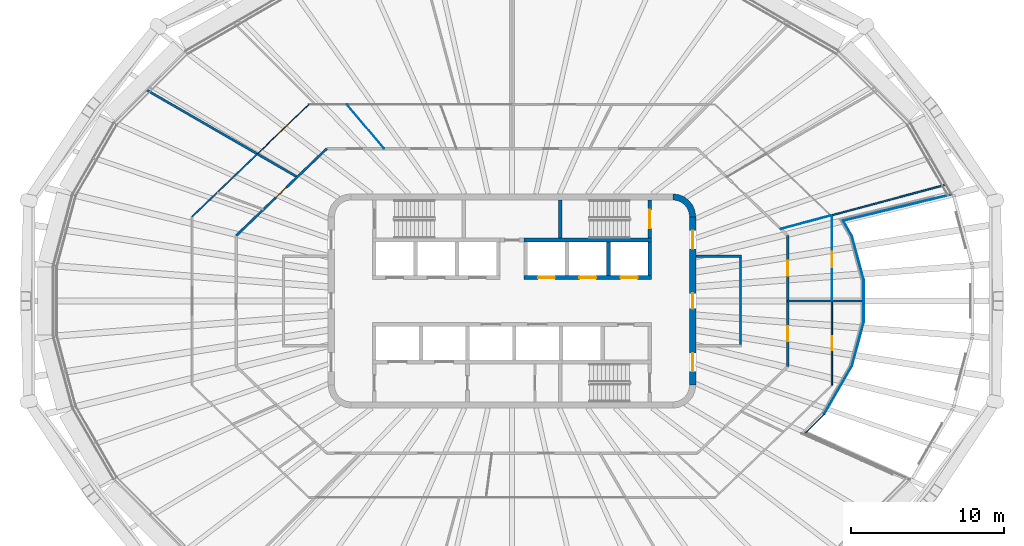
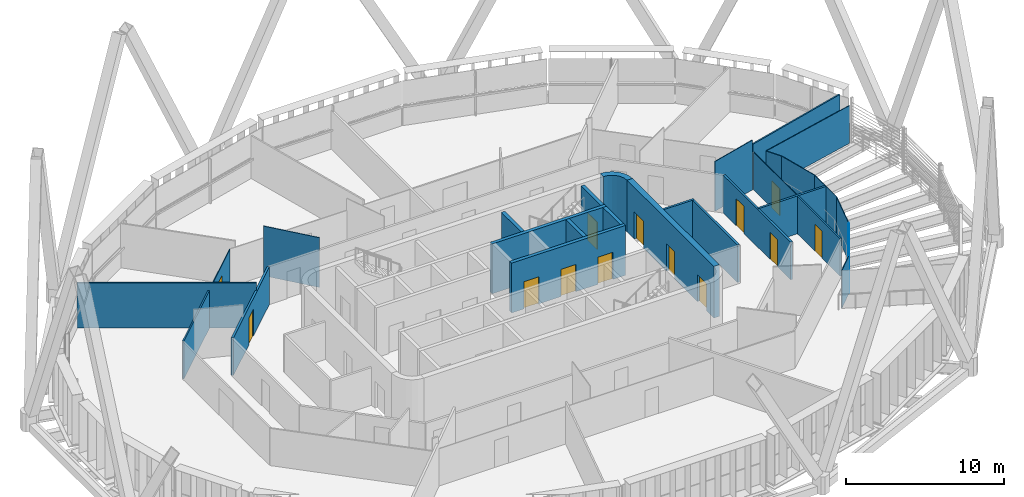
# One storey, part 12 of 20: 28 walls, 13 doors, 13 openings.
"""IFC4 building model written with IfcOpenShell, lengths in metres."""

import ifcopenshell
import ifcopenshell.guid

model = None  # the IFC model being written
_history = None  # IfcOwnerHistory: only IFC2X3 demands one
_inside = {}  # id of a spatial element -> (the spatial element, [elements in it])
_under = {}  # id of a project, library or spatial element -> (it, [spatial elements below it])
_declared = {}  # id of a project -> (the project, [libraries it declares])
_typed = {}  # id of a type object -> (the type object, [elements of that type])
_made_of = {}  # id of a material, layer set ... -> (it, [elements and type objects made of it])


def new_model(schema):
    """Start an empty IFC model of exactly this schema.

    Asked for "IFC4X3", IfcOpenShell would pick the latest addendum, in which some entities
    have other attributes; the version numbers below select the first issue.
    IFC2X3 requires an IfcOwnerHistory on every rooted entity: one is made here for all.
    """
    global model, _history
    if schema == "IFC4X3":
        model = ifcopenshell.file(schema_version=(4, 3, 0, 0))
    else:
        model = ifcopenshell.file(schema=schema)
    _inside.clear()
    _under.clear()
    _declared.clear()
    _typed.clear()
    _made_of.clear()
    _history = None
    if model.schema == "IFC2X3":
        org = make("IfcOrganization", Name="unknown")
        user = make(
            "IfcPersonAndOrganization",
            ThePerson=make("IfcPerson", FamilyName="unknown"),
            TheOrganization=org,
        )
        app = make(
            "IfcApplication",
            ApplicationDeveloper=org,
            Version="unknown",
            ApplicationFullName="unknown",
            ApplicationIdentifier="unknown",
        )
        _history = make(
            "IfcOwnerHistory",
            OwningUser=user,
            OwningApplication=app,
            ChangeAction="ADDED",
            CreationDate=0,
        )
    return model


def make(cls, **values):
    """One entity of the class cls with the attributes given. An attribute that is None is left unset."""
    return model.create_entity(
        cls, **{name: value for name, value in values.items() if value is not None}
    )


def rooted(cls, **values):
    """An entity with a GlobalId (a new one), such as an element, a storey or a relation."""
    return make(cls, GlobalId=ifcopenshell.guid.new(), OwnerHistory=_history, **values)


def si_unit(unit_type, name, prefix=None):
    """IfcSIUnit, for example si_unit("LENGTHUNIT", "METRE", prefix="MILLI")."""
    return make("IfcSIUnit", UnitType=unit_type, Prefix=prefix, Name=name)


def assignment(units):
    """IfcUnitAssignment: the units of a project."""
    return None if units is None else make("IfcUnitAssignment", Units=units)


def point(xyz):
    """IfcCartesianPoint."""
    return None if xyz is None else make("IfcCartesianPoint", Coordinates=xyz)


def direction(xyz):
    """IfcDirection."""
    return None if xyz is None else make("IfcDirection", DirectionRatios=xyz)


def frame(location, z_axis=None, x_axis=None):
    """IfcAxis2Placement3D, a coordinate frame: its origin and axes. An axis left out is left unset."""
    return make(
        "IfcAxis2Placement3D",
        Location=point(location),
        Axis=direction(z_axis),
        RefDirection=direction(x_axis),
    )


def frame_2d(location, x_axis=None):
    """IfcAxis2Placement2D, a coordinate frame in the plane: its origin and x axis."""
    return make(
        "IfcAxis2Placement2D", Location=point(location), RefDirection=direction(x_axis)
    )


def origin():
    """The frame at (0, 0, 0) with its axes left unset."""
    return frame((0.0, 0.0, 0.0))


def place(relative_to, where):
    """IfcLocalPlacement: puts the frame where relative to a parent placement (None: the world)."""
    return make(
        "IfcLocalPlacement", PlacementRelTo=relative_to, RelativePlacement=where
    )


def context(
    kind, dimensions, precision=None, world=None, true_north=None, identifier=None
):
    """IfcGeometricRepresentationContext, for example the 3D "Model" context."""
    return make(
        "IfcGeometricRepresentationContext",
        ContextIdentifier=identifier,
        ContextType=kind,
        CoordinateSpaceDimension=dimensions,
        Precision=precision,
        WorldCoordinateSystem=world,
        TrueNorth=true_north,
    )


def subcontext(parent, identifier, kind, view, scale=None):
    """IfcGeometricRepresentationSubContext, for example "Body" below "Model"."""
    return make(
        "IfcGeometricRepresentationSubContext",
        ContextIdentifier=identifier,
        ContextType=kind,
        ParentContext=parent,
        TargetScale=scale,
        TargetView=view,
    )


def project(units=None, contexts=None):
    """IfcProject with its units and contexts."""
    return rooted(
        "IfcProject",
        Name="project",
        RepresentationContexts=contexts,
        UnitsInContext=assignment(units),
    )


def spatial(cls, under=None, at=None, **own):
    """A site, building, storey or space (cls), placed at a placement, below another one or the project."""
    s = rooted(cls, ObjectPlacement=at, **own)
    if under is not None:
        _under.setdefault(under.id(), (under, []))[1].append(s)
    return s


def polyline(points):
    """IfcPolyline through the points."""
    return make("IfcPolyline", Points=[point(p) for p in points])


def profile(cls, at=None, kind="AREA", **sizes):
    """A parametric profile (cls). Its sizes go by their IFC names, for example OverallWidth=200.0."""
    return make(cls, ProfileType=kind, Position=at, **sizes)


def rectangle(**sizes):
    """IfcRectangleProfileDef."""
    return profile("IfcRectangleProfileDef", **sizes)


def outline(outer, holes=None, kind="AREA"):
    """IfcArbitraryClosedProfileDef: a profile drawn as a closed curve; with holes, ...WithVoids."""
    if holes is None:
        return make("IfcArbitraryClosedProfileDef", ProfileType=kind, OuterCurve=outer)
    return make(
        "IfcArbitraryProfileDefWithVoids",
        ProfileType=kind,
        OuterCurve=outer,
        InnerCurves=holes,
    )


def extrude(swept, where, along, depth):
    """IfcExtrudedAreaSolid: the profile swept, set in the frame where, extruded along a direction by depth."""
    return make(
        "IfcExtrudedAreaSolid",
        SweptArea=swept,
        Position=where,
        ExtrudedDirection=direction(along),
        Depth=depth,
    )


def shape(context_of_items, identifier, shape_type, items):
    """IfcShapeRepresentation: the items that make up one representation, for example the "Body"."""
    return make(
        "IfcShapeRepresentation",
        ContextOfItems=context_of_items,
        RepresentationIdentifier=identifier,
        RepresentationType=shape_type,
        Items=items,
    )


def material(Name=None, Category=None):
    """IfcMaterial."""
    return make("IfcMaterial", Name=Name, Category=Category)


def layer(
    of_material, thickness, ventilated=None, Name=None, Category=None, Priority=None
):
    """IfcMaterialLayer: one layer of a wall or slab, of a material (None: an air gap)."""
    return make(
        "IfcMaterialLayer",
        Material=of_material,
        LayerThickness=thickness,
        IsVentilated=ventilated,
        Name=Name,
        Category=Category,
        Priority=Priority,
    )


def layer_set(layers, Name=None):
    """IfcMaterialLayerSet."""
    return make("IfcMaterialLayerSet", MaterialLayers=layers, LayerSetName=Name)


def made_of(thing, what):
    """Note that an element or type object is made of a material, layer set ...; save() writes the relation."""
    if what is not None:
        _made_of.setdefault(what.id(), (what, []))[1].append(thing)
    return thing


def type_object(cls, material=None, **own):
    """A type object (cls), such as IfcWallType, which elements share."""
    return made_of(rooted(cls, **own), material)


def element(
    cls,
    number,
    at=None,
    inside=None,
    cuts=None,
    type_object=None,
    material=None,
    context=None,
    identifier="Body",
    shape_type=None,
    held_by="IfcProductDefinitionShape",
    body=None,
    shapes=None,
    **own,
):
    """One element of the class cls, such as IfcWall. Its Tag is "e" and its number.

    at: its placement. inside: the storey or other place that contains it. cuts: it is an
    opening in that element (IfcRelVoidsElement). A single representation is given by context,
    identifier, shape_type and body (its items); several are given by shapes. held_by: the class
    of the entity that holds the representations. save() writes the other relations.
    """
    e = rooted(cls, Tag="e%d" % number, ObjectPlacement=at, **own)
    if body is not None:
        shapes = [shape(context, identifier, shape_type, body)]
    if shapes is not None:
        e.Representation = make(held_by, Representations=shapes)
    if inside is not None:
        _inside.setdefault(inside.id(), (inside, []))[1].append(e)
    if cuts is not None:
        rooted(
            "IfcRelVoidsElement", RelatingBuildingElement=cuts, RelatedOpeningElement=e
        )
    if type_object is not None:
        _typed.setdefault(type_object.id(), (type_object, []))[1].append(e)
    return made_of(e, material)


def fill(opening, filler):
    """IfcRelFillsElement: the door or window that sits in an opening."""
    return rooted(
        "IfcRelFillsElement",
        RelatingOpeningElement=opening,
        RelatedBuildingElement=filler,
    )


def aggregate(whole, parts):
    """IfcRelAggregates: a whole, such as a stair, and the parts it consists of."""
    return rooted("IfcRelAggregates", RelatingObject=whole, RelatedObjects=parts)


def save(model, path):
    """Write the relations noted so far, then the file.

    IfcRelAggregates (storeys below a building ...), IfcRelContainedInSpatialStructure (elements
    in a storey), IfcRelDefinesByType, IfcRelAssociatesMaterial and IfcRelDeclares: one each for
    every whole, place, type object, material and project.
    """
    for whole, parts in _under.values():
        aggregate(whole, parts)
    for where, things in _inside.values():
        rooted(
            "IfcRelContainedInSpatialStructure",
            RelatedElements=things,
            RelatingStructure=where,
        )
    for kind, things in _typed.values():
        rooted("IfcRelDefinesByType", RelatedObjects=things, RelatingType=kind)
    for what, things in _made_of.values():
        rooted("IfcRelAssociatesMaterial", RelatedObjects=things, RelatingMaterial=what)
    for by, libraries in _declared.values():
        rooted("IfcRelDeclares", RelatingContext=by, RelatedDefinitions=libraries)
    model.write(path)


model = new_model("IFC4")

# Units and contexts
model_context = context("Model", 3, precision=1e-05, world=origin(), true_north=direction((0.0, 1.0)))
body_context = subcontext(model_context, "Body", "Model", "MODEL_VIEW")
ifc_project = project(units=[si_unit("LENGTHUNIT", "METRE"), si_unit("AREAUNIT", "SQUARE_METRE"), si_unit("VOLUMEUNIT", "CUBIC_METRE"), si_unit("PLANEANGLEUNIT", "RADIAN"), si_unit("MASSUNIT", "GRAM", prefix="KILO")], contexts=[model_context])

# Site, building, storey
site_placement = place(None, origin())
site = spatial("IfcSite", under=ifc_project, at=site_placement, CompositionType="ELEMENT")
building_placement = place(site_placement, origin())
building = spatial("IfcBuilding", under=site, at=building_placement, Name="Sahrelin Media Tower", CompositionType="ELEMENT")
storey_placement = place(building_placement, frame((0.0, 0.0, 267.0)))
storey = spatial("IfcBuildingStorey", under=building, at=storey_placement, Name="L58", CompositionType="ELEMENT", Elevation=267.0)

# Wall, openings, doors
ifc_material_1 = material(Name="Concrete C60/75", Category="concrete")
ifc_layer_1 = layer(ifc_material_1, 0.39990234375)
ifc_layer_set_1 = layer_set([ifc_layer_1], Name="Core wall 400")
wall_type_1 = type_object("IfcWallType", Name="Core wall 400", PredefinedType="SHEAR", material=ifc_layer_set_1)
wall_1_placement = place(storey_placement, frame((11.800048828125, -5.5, 0.0), z_axis=(0.0, 0.0, 1.0), x_axis=(0.0, 1.0, 0.0)))
wall_1 = element("IfcWall", 1, at=wall_1_placement, inside=storey, type_object=wall_type_1, Name="Core wall E L58", PredefinedType="SHEAR", context=body_context, shape_type="SweptSolid", body=[
    extrude(rectangle(XDim=11.0, YDim=0.39990234375, at=frame_2d((5.5, 0.0))), origin(), (0.0, 0.0, 1.0), 4.0),
])
opening_1_placement = place(wall_1_placement, frame((5.0, 0.0, 0.0)))
opening_1 = element("IfcOpeningElement", 2, at=opening_1_placement, cuts=wall_1, Name="Opening L58-D10", PredefinedType="OPENING", context=body_context, shape_type="SweptSolid", body=[
    extrude(rectangle(XDim=1.0, YDim=2.10009765625, at=frame_2d((0.5, 1.050048828125))), frame((0.0, 0.199951171875, 0.0), z_axis=(0.0, -1.0, 0.0), x_axis=(1.0, 0.0, 0.0)), (0.0, 0.0, 1.0), 0.39990234375),
])
opening_2_placement = place(wall_1_placement, frame((0.89990234375, 0.0, 0.0)))
opening_2 = element("IfcOpeningElement", 3, at=opening_2_placement, cuts=wall_1, Name="Opening L58-D13", PredefinedType="OPENING", context=body_context, shape_type="SweptSolid", body=[
    extrude(rectangle(XDim=1.199951171875, YDim=2.10009765625, at=frame_2d((0.60009765625, 1.050048828125))), frame((0.0, 0.199951171875, 0.0), z_axis=(0.0, -1.0, 0.0), x_axis=(1.0, 0.0, 0.0)), (0.0, 0.0, 1.0), 0.39990234375),
])
opening_3_placement = place(wall_1_placement, frame((8.89990234375, 0.0, 0.0)))
opening_3 = element("IfcOpeningElement", 4, at=opening_3_placement, cuts=wall_1, Name="Opening L58-D14", PredefinedType="OPENING", context=body_context, shape_type="SweptSolid", body=[
    extrude(rectangle(XDim=1.199951171875, YDim=2.10009765625, at=frame_2d((0.60009765625, 1.050048828125))), frame((0.0, 0.199951171875, 0.0), z_axis=(0.0, -1.0, 0.0), x_axis=(1.0, 0.0, 0.0)), (0.0, 0.0, 1.0), 0.39990234375),
])
ifc_material_2 = material(Name="Steel fire door leaf", Category="steel")
door_type_1 = type_object("IfcDoorType", Name="Fire door 1000 x 2100 EI 60", OperationType="NOTDEFINED", PredefinedType="DOOR", material=ifc_material_2)
door_1_placement = place(opening_1_placement, origin())
door_1 = element("IfcDoor", 5, at=door_1_placement, inside=storey, type_object=door_type_1, Name="Core room door", OperationType="SINGLE_SWING_RIGHT", OverallHeight=2.10009765625, OverallWidth=1.0, PredefinedType="DOOR", context=body_context, shape_type="SweptSolid", body=[
    extrude(rectangle(XDim=1.0, YDim=2.10009765625, at=frame_2d((0.5, 1.050048828125))), frame((0.0, 0.02490234375, 0.0), z_axis=(0.0, -1.0, 0.0), x_axis=(1.0, 0.0, 0.0)), (0.0, 0.0, 1.0), 0.050048828125),
])
fill(opening_1, door_1)
door_type_2 = type_object("IfcDoorType", Name="Lobby door 1200 x 2100 EI 60", OperationType="NOTDEFINED", PredefinedType="DOOR", material=ifc_material_2)
door_2_placement = place(opening_2_placement, origin())
door_2 = element("IfcDoor", 6, at=door_2_placement, inside=storey, type_object=door_type_2, Name="Lobby door", OperationType="SINGLE_SWING_LEFT", OverallHeight=2.10009765625, OverallWidth=1.199951171875, PredefinedType="DOOR", context=body_context, shape_type="SweptSolid", body=[
    extrude(rectangle(XDim=1.199951171875, YDim=2.10009765625, at=frame_2d((0.60009765625, 1.050048828125))), frame((0.0, 0.02490234375, 0.0), z_axis=(0.0, -1.0, 0.0), x_axis=(1.0, 0.0, 0.0)), (0.0, 0.0, 1.0), 0.050048828125),
])
fill(opening_2, door_2)
door_3_placement = place(opening_3_placement, origin())
door_3 = element("IfcDoor", 7, at=door_3_placement, inside=storey, type_object=door_type_2, Name="Lobby door", OperationType="SINGLE_SWING_LEFT", OverallHeight=2.10009765625, OverallWidth=1.199951171875, PredefinedType="DOOR", context=body_context, shape_type="SweptSolid", body=[
    extrude(rectangle(XDim=1.199951171875, YDim=2.10009765625, at=frame_2d((0.60009765625, 1.050048828125))), frame((0.0, 0.02490234375, 0.0), z_axis=(0.0, -1.0, 0.0), x_axis=(1.0, 0.0, 0.0)), (0.0, 0.0, 1.0), 0.050048828125),
])
fill(opening_3, door_3)

# Walls
wall_2_placement = place(storey_placement, origin())
element("IfcWall", 8, at=wall_2_placement, inside=storey, type_object=wall_type_1, Name="Core wall corner NE L58", PredefinedType="SHEAR", context=body_context, shape_type="SweptSolid", body=[
    extrude(outline(polyline([(10.5, 7.0), (10.5, 6.596435546875), (10.78369140625, 6.55908203125), (11.04833984375, 6.44970703125), (11.275390625, 6.275390625), (11.44970703125, 6.04833984375), (11.55908203125, 5.78369140625), (11.596435546875, 5.5), (12.0, 5.5), (11.948974609375, 5.88818359375), (11.799072265625, 6.25), (11.560791015625, 6.560791015625), (11.25, 6.799072265625), (10.88818359375, 6.948974609375), (10.5, 7.0)])), origin(), (0.0, 0.0, 1.0), 4.0),
])
ifc_material_3 = material(Name="Fire-rated gypsum board partition")
ifc_layer_2 = layer(ifc_material_3, 0.14990234375)
ifc_layer_set_2 = layer_set([ifc_layer_2], Name="Fire-rated partition 150")
wall_type_2 = type_object("IfcWallType", Name="Fire-rated partition 150", PredefinedType="PARTITIONING", material=ifc_layer_set_2)
wall_3_placement = place(storey_placement, frame((14.925048828125, -2.85009765625, 0.0), z_axis=(0.0, 0.0, 1.0), x_axis=(0.0, 1.0, 0.0)))
element("IfcWall", 9, at=wall_3_placement, inside=storey, type_object=wall_type_2, Name="Core room fire partition", PredefinedType="PARTITIONING", context=body_context, shape_type="SweptSolid", body=[
    extrude(rectangle(XDim=5.7001953125, YDim=0.14990234375, at=frame_2d((2.85009765625, 0.0))), origin(), (0.0, 0.0, 1.0), 2.918212890625),
])
wall_4_placement = place(storey_placement, frame((12.0, 2.925048828125, 0.0), z_axis=(0.0, 0.0, 1.0), x_axis=(1.0, 0.0, 0.0)))
element("IfcWall", 10, at=wall_4_placement, inside=storey, type_object=wall_type_2, Name="Core room fire partition", PredefinedType="PARTITIONING", context=body_context, shape_type="SweptSolid", body=[
    extrude(rectangle(XDim=3.0, YDim=0.14990234375, at=frame_2d((1.5, 0.0))), origin(), (0.0, 0.0, 1.0), 2.918212890625),
])
wall_5_placement = place(storey_placement, frame((-23.883056640625, 13.7890625, 0.0), z_axis=(0.0, 0.0, 1.0), x_axis=(0.866026665955, -0.499997813851, 0.0)))
element("IfcWall", 11, at=wall_5_placement, inside=storey, type_object=wall_type_2, Name="Wall", PredefinedType="PARTITIONING", context=body_context, shape_type="SweptSolid", body=[
    extrude(rectangle(XDim=11.38427734375, YDim=0.14990234375, at=frame_2d((5.692138671875, 0.0))), origin(), (0.0, 0.0, 1.0), 3.47509765625),
])
wall_6_placement = place(storey_placement, frame((18.0, 0.0, 0.0), z_axis=(0.0, 0.0, 1.0), x_axis=(1.0, 0.0, 0.0)))
element("IfcWall", 12, at=wall_6_placement, inside=storey, type_object=wall_type_2, Name="Wall", PredefinedType="PARTITIONING", context=body_context, shape_type="SweptSolid", body=[
    extrude(rectangle(XDim=4.966064453125, YDim=0.14990234375, at=frame_2d((2.48291015625, 0.0))), origin(), (0.0, 0.0, 1.0), 2.927001953125),
])

# Wall, opening, door
wall_7_placement = place(storey_placement, frame((-18.0, 4.278076171875, 0.0), z_axis=(0.0, 0.0, 1.0), x_axis=(0.721260976692, 0.69266341285, 0.0)))
wall_7 = element("IfcWall", 13, at=wall_7_placement, inside=storey, type_object=wall_type_2, Name="Wall", PredefinedType="PARTITIONING", context=body_context, shape_type="SweptSolid", body=[
    extrude(rectangle(XDim=8.18701171875, YDim=0.14990234375, at=frame_2d((4.093505859375, 0.0))), origin(), (0.0, 0.0, 1.0), 2.918212890625),
])
opening_4_placement = place(wall_7_placement, frame((3.5439453125, 0.0, 0.0)))
opening_4 = element("IfcOpeningElement", 14, at=opening_4_placement, cuts=wall_7, Name="Opening L58-D21", PredefinedType="OPENING", context=body_context, shape_type="SweptSolid", body=[
    extrude(rectangle(XDim=1.0, YDim=2.10009765625, at=frame_2d((0.5, 1.050048828125))), frame((0.0, 0.074951171875, 0.0), z_axis=(0.0, -1.0, 0.0), x_axis=(1.0, 0.0, 0.0)), (0.0, 0.0, 1.0), 0.14990234375),
])
door_4_placement = place(opening_4_placement, origin())
door_4 = element("IfcDoor", 15, at=door_4_placement, inside=storey, type_object=door_type_1, Name="Fire door", OperationType="SINGLE_SWING_LEFT", OverallHeight=2.10009765625, OverallWidth=1.0, PredefinedType="DOOR", context=body_context, shape_type="SweptSolid", body=[
    extrude(rectangle(XDim=1.0, YDim=2.10009765625, at=frame_2d((0.5, 1.050048828125))), frame((0.0, 0.02490234375, 0.0), z_axis=(0.0, -1.0, 0.0), x_axis=(1.0, 0.0, 0.0)), (0.0, 0.0, 1.0), 0.050048828125),
])
fill(opening_4, door_4)

# Wall, openings, doors
wall_8_placement = place(storey_placement, frame((18.0, -4.278076171875, 0.0), z_axis=(0.0, 0.0, 1.0), x_axis=(0.0, 1.0, 0.0)))
wall_8 = element("IfcWall", 16, at=wall_8_placement, inside=storey, type_object=wall_type_2, Name="Wall", PredefinedType="PARTITIONING", context=body_context, shape_type="SweptSolid", body=[
    extrude(rectangle(XDim=8.55615234375, YDim=0.14990234375, at=frame_2d((4.278076171875, 0.0))), origin(), (0.0, 0.0, 1.0), 2.918212890625),
])
opening_5_placement = place(wall_8_placement, frame((1.638916015625, 0.0, 0.0)))
opening_5 = element("IfcOpeningElement", 17, at=opening_5_placement, cuts=wall_8, Name="Opening L58-D32", PredefinedType="OPENING", context=body_context, shape_type="SweptSolid", body=[
    extrude(rectangle(XDim=1.0, YDim=2.10009765625, at=frame_2d((0.5, 1.050048828125))), frame((0.0, 0.074951171875, 0.0), z_axis=(0.0, -1.0, 0.0), x_axis=(1.0, 0.0, 0.0)), (0.0, 0.0, 1.0), 0.14990234375),
])
opening_6_placement = place(wall_8_placement, frame((5.9169921875, 0.0, 0.0)))
opening_6 = element("IfcOpeningElement", 18, at=opening_6_placement, cuts=wall_8, Name="Opening L58-D34", PredefinedType="OPENING", context=body_context, shape_type="SweptSolid", body=[
    extrude(rectangle(XDim=1.0, YDim=2.10009765625, at=frame_2d((0.5, 1.050048828125))), frame((0.0, 0.074951171875, 0.0), z_axis=(0.0, -1.0, 0.0), x_axis=(1.0, 0.0, 0.0)), (0.0, 0.0, 1.0), 0.14990234375),
])
door_5_placement = place(opening_5_placement, origin())
door_5 = element("IfcDoor", 19, at=door_5_placement, inside=storey, type_object=door_type_1, Name="Fire door", OperationType="SINGLE_SWING_RIGHT", OverallHeight=2.10009765625, OverallWidth=1.0, PredefinedType="DOOR", context=body_context, shape_type="SweptSolid", body=[
    extrude(rectangle(XDim=1.0, YDim=2.10009765625, at=frame_2d((0.5, 1.050048828125))), frame((0.0, 0.02490234375, 0.0), z_axis=(0.0, -1.0, 0.0), x_axis=(1.0, 0.0, 0.0)), (0.0, 0.0, 1.0), 0.050048828125),
])
fill(opening_5, door_5)
door_6_placement = place(opening_6_placement, origin())
door_6 = element("IfcDoor", 20, at=door_6_placement, inside=storey, type_object=door_type_1, Name="Fire door", OperationType="SINGLE_SWING_LEFT", OverallHeight=2.10009765625, OverallWidth=1.0, PredefinedType="DOOR", context=body_context, shape_type="SweptSolid", body=[
    extrude(rectangle(XDim=1.0, YDim=2.10009765625, at=frame_2d((0.5, 1.050048828125))), frame((0.0, 0.02490234375, 0.0), z_axis=(0.0, -1.0, 0.0), x_axis=(1.0, 0.0, 0.0)), (0.0, 0.0, 1.0), 0.050048828125),
])
fill(opening_6, door_6)

# Walls
ifc_material_4 = material(Name="Clear glass", Category="glass")
ifc_layer_3 = layer(ifc_material_4, 0.050048828125)
ifc_layer_set_3 = layer_set([ifc_layer_3], Name="Glazed partition 50")
wall_type_3 = type_object("IfcWallType", Name="Glazed partition 50", PredefinedType="PARTITIONING", material=ifc_layer_set_3)
wall_9_placement = place(storey_placement, frame((22.197021484375, 4.256103515625, 0.0), z_axis=(0.0, 0.0, 1.0), x_axis=(0.258736085224, -0.965948051503, 0.0)))
element("IfcWall", 21, at=wall_9_placement, inside=storey, type_object=wall_type_3, Name="Wall", PredefinedType="PARTITIONING", context=body_context, shape_type="SweptSolid", body=[
    extrude(rectangle(XDim=2.972412109375, YDim=0.050048828125, at=frame_2d((1.486328125, 0.0))), origin(), (0.0, 0.0, 1.0), 2.918212890625),
])
wall_10_placement = place(storey_placement, frame((21.62890625, 5.239990234375, 0.0), z_axis=(0.0, 0.0, 1.0), x_axis=(0.500044870432, -0.865999496279, 0.0)))
element("IfcWall", 22, at=wall_10_placement, inside=storey, type_object=wall_type_3, Name="Wall", PredefinedType="PARTITIONING", context=body_context, shape_type="SweptSolid", body=[
    extrude(rectangle(XDim=1.13623046875, YDim=0.050048828125, at=frame_2d((0.568115234375, 0.0))), origin(), (0.0, 0.0, 1.0), 2.918212890625),
])
wall_11_placement = place(storey_placement, frame((-10.77294921875, 12.839111328125, 0.0), z_axis=(0.0, 0.0, 1.0), x_axis=(0.642777681898, -0.766052773413, 0.0)))
element("IfcWall", 23, at=wall_11_placement, inside=storey, type_object=wall_type_3, Name="Wall", PredefinedType="PARTITIONING", context=body_context, shape_type="SweptSolid", body=[
    extrude(rectangle(XDim=3.772705078125, YDim=0.050048828125, at=frame_2d((1.88623046875, 0.0))), origin(), (0.0, 0.0, 1.0), 3.85009765625),
])
wall_12_placement = place(storey_placement, frame((21.62890625, 5.239990234375, 0.0), z_axis=(0.0, 0.0, 1.0), x_axis=(0.971882367971, 0.235466903888, 0.0)))
element("IfcWall", 24, at=wall_12_placement, inside=storey, type_object=wall_type_3, Name="Wall", PredefinedType="PARTITIONING", context=body_context, shape_type="SweptSolid", body=[
    extrude(rectangle(XDim=7.296142578125, YDim=0.050048828125, at=frame_2d((3.64794921875, 0.0))), origin(), (0.0, 0.0, 1.0), 2.918212890625),
])
wall_13_placement = place(storey_placement, frame((17.555908203125, 4.7041015625, 0.0), z_axis=(0.0, 0.0, 1.0), x_axis=(0.965949987261, 0.258728858285, 0.0)))
element("IfcWall", 25, at=wall_13_placement, inside=storey, type_object=wall_type_3, Name="Wall", PredefinedType="PARTITIONING", context=body_context, shape_type="SweptSolid", body=[
    extrude(rectangle(XDim=3.377197265625, YDim=0.050048828125, at=frame_2d((1.6884765625, 0.0))), origin(), (0.0, 0.0, 1.0), 3.85009765625),
])

# Wall, opening, door
wall_14_placement = place(storey_placement, frame((-16.62890625, 9.60107421875, 0.0), z_axis=(0.0, 0.0, 1.0), x_axis=(0.721171224294, 0.692756858681, 0.0)))
wall_14 = element("IfcWall", 26, at=wall_14_placement, inside=storey, type_object=wall_type_3, Name="Wall", PredefinedType="PARTITIONING", context=body_context, shape_type="SweptSolid", body=[
    extrude(rectangle(XDim=4.674072265625, YDim=0.050048828125, at=frame_2d((2.3369140625, 0.0))), origin(), (0.0, 0.0, 1.0), 2.927001953125),
])
opening_7_placement = place(wall_14_placement, frame((1.837158203125, 0.0, 0.0)))
opening_7 = element("IfcOpeningElement", 27, at=opening_7_placement, cuts=wall_14, Name="Opening L58-D20", PredefinedType="OPENING", context=body_context, shape_type="SweptSolid", body=[
    extrude(rectangle(XDim=1.0, YDim=2.10009765625, at=frame_2d((0.5, 1.050048828125))), frame((0.0, 0.02490234375, 0.0), z_axis=(0.0, -1.0, 0.0), x_axis=(1.0, 0.0, 0.0)), (0.0, 0.0, 1.0), 0.050048828125),
])
door_type_3 = type_object("IfcDoorType", Name="Glazed door 1000 x 2100", OperationType="NOTDEFINED", PredefinedType="DOOR", material=ifc_material_4)
door_7_placement = place(opening_7_placement, origin())
door_7 = element("IfcDoor", 28, at=door_7_placement, inside=storey, type_object=door_type_3, Name="Glazed door", OperationType="SINGLE_SWING_LEFT", OverallHeight=2.10009765625, OverallWidth=1.0, PredefinedType="DOOR", context=body_context, shape_type="SweptSolid", body=[
    extrude(rectangle(XDim=1.0, YDim=2.10009765625, at=frame_2d((0.5, 1.050048828125))), frame((0.0, 0.02490234375, 0.0), z_axis=(0.0, -1.0, 0.0), x_axis=(1.0, 0.0, 0.0)), (0.0, 0.0, 1.0), 0.049560546875),
])
fill(opening_7, door_7)

# Walls
wall_15_placement = place(storey_placement, frame((19.1640625, -8.60791015625, 0.0), z_axis=(0.0, 0.0, 1.0), x_axis=(0.707106781187, 0.707106781187, 0.0)))
element("IfcWall", 29, at=wall_15_placement, inside=storey, type_object=wall_type_3, Name="Wall", PredefinedType="PARTITIONING", context=body_context, shape_type="SweptSolid", body=[
    extrude(rectangle(XDim=1.739501953125, YDim=0.050048828125, at=frame_2d((0.86962890625, 0.0))), origin(), (0.0, 0.0, 1.0), 2.927001953125),
])
wall_16_placement = place(storey_placement, frame((20.39404296875, -7.3779296875, 0.0), z_axis=(0.0, 0.0, 1.0), x_axis=(0.500123016475, 0.865954368539, 0.0)))
element("IfcWall", 30, at=wall_16_placement, inside=storey, type_object=wall_type_3, Name="Wall", PredefinedType="PARTITIONING", context=body_context, shape_type="SweptSolid", body=[
    extrude(rectangle(XDim=3.60498046875, YDim=0.050048828125, at=frame_2d((1.802490234375, 0.0))), origin(), (0.0, 0.0, 1.0), 2.918212890625),
])
wall_17_placement = place(storey_placement, frame((22.197021484375, -4.256103515625, 0.0), z_axis=(0.0, 0.0, 1.0), x_axis=(0.258736085224, 0.965948051503, 0.0)))
element("IfcWall", 31, at=wall_17_placement, inside=storey, type_object=wall_type_3, Name="Wall", PredefinedType="PARTITIONING", context=body_context, shape_type="SweptSolid", body=[
    extrude(rectangle(XDim=2.972412109375, YDim=0.050048828125, at=frame_2d((1.486328125, 0.0))), origin(), (0.0, 0.0, 1.0), 2.918212890625),
])
wall_18_placement = place(storey_placement, frame((22.966064453125, -1.385009765625, 0.0), z_axis=(0.0, 0.0, 1.0), x_axis=(0.0, 1.0, 0.0)))
element("IfcWall", 32, at=wall_18_placement, inside=storey, type_object=wall_type_3, Name="Wall", PredefinedType="PARTITIONING", context=body_context, shape_type="SweptSolid", body=[
    extrude(rectangle(XDim=2.77001953125, YDim=0.050048828125, at=frame_2d((1.385009765625, 0.0))), origin(), (0.0, 0.0, 1.0), 2.927001953125),
])

# Wall, opening, door
wall_19_placement = place(storey_placement, frame((20.889892578125, 0.0, 0.0), z_axis=(0.0, 0.0, 1.0), x_axis=(0.0, 1.0, 0.0)))
wall_19 = element("IfcWall", 33, at=wall_19_placement, inside=storey, type_object=wall_type_3, Name="Wall", PredefinedType="PARTITIONING", context=body_context, shape_type="SweptSolid", body=[
    extrude(rectangle(XDim=5.509033203125, YDim=0.050048828125, at=frame_2d((2.75439453125, 0.0))), origin(), (0.0, 0.0, 1.0), 2.918212890625),
])
opening_8_placement = place(wall_19_placement, frame((2.204345703125, 0.0, 0.0)))
opening_8 = element("IfcOpeningElement", 34, at=opening_8_placement, cuts=wall_19, Name="Opening L58-D37", PredefinedType="OPENING", context=body_context, shape_type="SweptSolid", body=[
    extrude(rectangle(XDim=1.0, YDim=2.10009765625, at=frame_2d((0.5, 1.050048828125))), frame((0.0, 0.02490234375, 0.0), z_axis=(0.0, -1.0, 0.0), x_axis=(1.0, 0.0, 0.0)), (0.0, 0.0, 1.0), 0.050048828125),
])
door_8_placement = place(opening_8_placement, origin())
door_8 = element("IfcDoor", 35, at=door_8_placement, inside=storey, type_object=door_type_3, Name="Glazed door", OperationType="SINGLE_SWING_RIGHT", OverallHeight=2.10009765625, OverallWidth=1.0, PredefinedType="DOOR", context=body_context, shape_type="SweptSolid", body=[
    extrude(rectangle(XDim=1.0, YDim=2.10009765625, at=frame_2d((0.5, 1.050048828125))), frame((0.0, 0.02490234375, 0.0), z_axis=(0.0, -1.0, 0.0), x_axis=(1.0, 0.0, 0.0)), (0.0, 0.0, 1.0), 0.049560546875),
])
fill(opening_8, door_8)

# Wall, openings, doors
ifc_layer_4 = layer(ifc_material_1, 0.25)
ifc_layer_set_4 = layer_set([ifc_layer_4], Name="Lift shaft wall 250")
wall_type_4 = type_object("IfcWallType", Name="Lift shaft wall 250", PredefinedType="SOLIDWALL", material=ifc_layer_set_4)
wall_20_placement = place(storey_placement, frame((0.77490234375, 1.52490234375, 0.0), z_axis=(0.0, 0.0, 1.0), x_axis=(1.0, 0.0, 0.0)))
wall_20 = element("IfcWall", 36, at=wall_20_placement, inside=storey, type_object=wall_type_4, Name="Lift shaft wall", PredefinedType="SOLIDWALL", context=body_context, shape_type="SweptSolid", body=[
    extrude(rectangle(XDim=8.35009765625, YDim=0.25, at=frame_2d((4.175048828125, 0.0))), origin(), (0.0, 0.0, 1.0), 3.85009765625),
])
opening_9_placement = place(wall_20_placement, frame((0.925048828125, 0.0, 0.0)))
opening_9 = element("IfcOpeningElement", 37, at=opening_9_placement, cuts=wall_20, Name="Opening L58-LD-HR4", PredefinedType="OPENING", context=body_context, shape_type="SweptSolid", body=[
    extrude(rectangle(XDim=1.10009765625, YDim=2.10009765625, at=frame_2d((0.550048828125, 1.050048828125))), frame((0.0, 0.125, 0.0), z_axis=(0.0, -1.0, 0.0), x_axis=(1.0, 0.0, 0.0)), (0.0, 0.0, 1.0), 0.25),
])
opening_10_placement = place(wall_20_placement, frame((3.625, 0.0, 0.0)))
opening_10 = element("IfcOpeningElement", 38, at=opening_10_placement, cuts=wall_20, Name="Opening L58-LD-HR5", PredefinedType="OPENING", context=body_context, shape_type="SweptSolid", body=[
    extrude(rectangle(XDim=1.10009765625, YDim=2.10009765625, at=frame_2d((0.550048828125, 1.050048828125))), frame((0.0, 0.125, 0.0), z_axis=(0.0, -1.0, 0.0), x_axis=(1.0, 0.0, 0.0)), (0.0, 0.0, 1.0), 0.25),
])
opening_11_placement = place(wall_20_placement, frame((6.324951171875, 0.0, 0.0)))
opening_11 = element("IfcOpeningElement", 39, at=opening_11_placement, cuts=wall_20, Name="Opening L58-LD-HR6", PredefinedType="OPENING", context=body_context, shape_type="SweptSolid", body=[
    extrude(rectangle(XDim=1.10009765625, YDim=2.10009765625, at=frame_2d((0.550048828125, 1.050048828125))), frame((0.0, 0.125, 0.0), z_axis=(0.0, -1.0, 0.0), x_axis=(1.0, 0.0, 0.0)), (0.0, 0.0, 1.0), 0.25),
])
ifc_material_5 = material(Name="Stainless steel", Category="steel")
door_type_4 = type_object("IfcDoorType", Name="Lift landing door 1100 x 2100 EI 120", OperationType="DOUBLE_DOOR_SLIDING", PredefinedType="DOOR", material=ifc_material_5)
door_9_placement = place(opening_9_placement, origin())
door_9 = element("IfcDoor", 40, at=door_9_placement, inside=storey, type_object=door_type_4, Name="Lift landing door HR4", OperationType="DOUBLE_DOOR_SLIDING", OverallHeight=2.10009765625, OverallWidth=1.10009765625, PredefinedType="DOOR", context=body_context, shape_type="SweptSolid", body=[
    extrude(rectangle(XDim=1.10009765625, YDim=2.10009765625, at=frame_2d((0.550048828125, 1.050048828125))), frame((0.0, 0.02490234375, 0.0), z_axis=(0.0, -1.0, 0.0), x_axis=(1.0, 0.0, 0.0)), (0.0, 0.0, 1.0), 0.050048828125),
])
fill(opening_9, door_9)
door_10_placement = place(opening_10_placement, origin())
door_10 = element("IfcDoor", 41, at=door_10_placement, inside=storey, type_object=door_type_4, Name="Lift landing door HR5", OperationType="DOUBLE_DOOR_SLIDING", OverallHeight=2.10009765625, OverallWidth=1.10009765625, PredefinedType="DOOR", context=body_context, shape_type="SweptSolid", body=[
    extrude(rectangle(XDim=1.10009765625, YDim=2.10009765625, at=frame_2d((0.550048828125, 1.050048828125))), frame((0.0, 0.02490234375, 0.0), z_axis=(0.0, -1.0, 0.0), x_axis=(1.0, 0.0, 0.0)), (0.0, 0.0, 1.0), 0.050048828125),
])
fill(opening_10, door_10)
door_11_placement = place(opening_11_placement, origin())
door_11 = element("IfcDoor", 42, at=door_11_placement, inside=storey, type_object=door_type_4, Name="Lift landing door HR6", OperationType="DOUBLE_DOOR_SLIDING", OverallHeight=2.10009765625, OverallWidth=1.10009765625, PredefinedType="DOOR", context=body_context, shape_type="SweptSolid", body=[
    extrude(rectangle(XDim=1.10009765625, YDim=2.10009765625, at=frame_2d((0.550048828125, 1.050048828125))), frame((0.0, 0.02490234375, 0.0), z_axis=(0.0, -1.0, 0.0), x_axis=(1.0, 0.0, 0.0)), (0.0, 0.0, 1.0), 0.050048828125),
])
fill(opening_11, door_11)

# Walls
wall_21_placement = place(storey_placement, frame((0.77490234375, 3.97509765625, 0.0), z_axis=(0.0, 0.0, 1.0), x_axis=(1.0, 0.0, 0.0)))
element("IfcWall", 43, at=wall_21_placement, inside=storey, type_object=wall_type_4, Name="Lift shaft wall", PredefinedType="SOLIDWALL", context=body_context, shape_type="SweptSolid", body=[
    extrude(rectangle(XDim=8.35009765625, YDim=0.25, at=frame_2d((4.175048828125, 0.0))), origin(), (0.0, 0.0, 1.0), 3.85009765625),
])
for number, where, z_axis, x_axis, name in (
    (44, (9.0, 1.64990234375, 0.0), (0.0, 0.0, 1.0), (0.0, 1.0, 0.0), "Lift shaft wall"),
    (45, (6.300048828125, 1.64990234375, 0.0), (0.0, 0.0, 1.0), (0.0, 1.0, 0.0), "Lift shaft wall"),
):
    element("IfcWall", number, at=place(storey_placement, frame(where, z_axis=z_axis, x_axis=x_axis)), inside=storey, type_object=wall_type_4, Name=name, PredefinedType="SOLIDWALL", context=body_context, shape_type="SweptSolid", body=[
        extrude(rectangle(XDim=2.2001953125, YDim=0.25, at=frame_2d((1.10009765625, 0.0))), origin(), (0.0, 0.0, 1.0), 3.85009765625),
    ])
ifc_material_6 = material(Name="Gypsum board partition")
ifc_layer_5 = layer(ifc_material_6, 0.10009765625)
ifc_layer_set_5 = layer_set([ifc_layer_5], Name="Partition 100")
wall_type_5 = type_object("IfcWallType", Name="Partition 100", PredefinedType="PARTITIONING", material=ifc_layer_set_5)
wall_22_placement = place(storey_placement, frame((20.818115234375, 5.577880859375, 0.0), z_axis=(0.0, 0.0, 1.0), x_axis=(0.96590682433, 0.258889950971, 0.0)))
element("IfcWall", 46, at=wall_22_placement, inside=storey, type_object=wall_type_5, Name="Wall", PredefinedType="PARTITIONING", context=body_context, shape_type="SweptSolid", body=[
    extrude(rectangle(XDim=7.798828125, YDim=0.10009765625, at=frame_2d((3.8994140625, 0.0))), origin(), (0.0, 0.0, 1.0), 3.526611328125),
])
wall_23_placement = place(storey_placement, frame((-20.889892578125, 5.509033203125, 0.0), z_axis=(0.0, 0.0, 1.0), x_axis=(0.721200651506, 0.69272622317, 0.0)))
element("IfcWall", 47, at=wall_23_placement, inside=storey, type_object=wall_type_5, Name="Wall", PredefinedType="PARTITIONING", context=body_context, shape_type="SweptSolid", body=[
    extrude(rectangle(XDim=5.907470703125, YDim=0.10009765625, at=frame_2d((2.95361328125, 0.0))), origin(), (0.0, 0.0, 1.0), 2.927001953125),
])

# Wall, opening, door
wall_24_placement = place(storey_placement, frame((20.889892578125, -5.509033203125, 0.0), z_axis=(0.0, 0.0, 1.0), x_axis=(0.0, 1.0, 0.0)))
wall_24 = element("IfcWall", 48, at=wall_24_placement, inside=storey, type_object=wall_type_5, Name="Wall", PredefinedType="PARTITIONING", context=body_context, shape_type="SweptSolid", body=[
    extrude(rectangle(XDim=5.509033203125, YDim=0.10009765625, at=frame_2d((2.75439453125, 0.0))), origin(), (0.0, 0.0, 1.0), 2.918212890625),
])
opening_12_placement = place(wall_24_placement, frame((2.304443359375, 0.0, 0.0)))
opening_12 = element("IfcOpeningElement", 49, at=opening_12_placement, cuts=wall_24, Name="Opening L58-D33", PredefinedType="OPENING", context=body_context, shape_type="SweptSolid", body=[
    extrude(rectangle(XDim=0.89990234375, YDim=2.10009765625, at=frame_2d((0.449951171875, 1.050048828125))), frame((0.0, 0.050048828125, 0.0), z_axis=(0.0, -1.0, 0.0), x_axis=(1.0, 0.0, 0.0)), (0.0, 0.0, 1.0), 0.10009765625),
])
ifc_material_7 = material(Name="Timber door leaf", Category="wood")
door_type_5 = type_object("IfcDoorType", Name="Single door 900 x 2100", OperationType="NOTDEFINED", PredefinedType="DOOR", material=ifc_material_7)
door_12_placement = place(opening_12_placement, origin())
door_12 = element("IfcDoor", 50, at=door_12_placement, inside=storey, type_object=door_type_5, Name="Single door", OperationType="SINGLE_SWING_LEFT", OverallHeight=2.10009765625, OverallWidth=0.89990234375, PredefinedType="DOOR", context=body_context, shape_type="SweptSolid", body=[
    extrude(rectangle(XDim=0.89990234375, YDim=2.10009765625, at=frame_2d((0.449951171875, 1.050048828125))), frame((0.0, 0.02490234375, 0.0), z_axis=(0.0, -1.0, 0.0), x_axis=(1.0, 0.0, 0.0)), (0.0, 0.0, 1.0), 0.050048828125),
])
fill(opening_12, door_12)

ifc_layer_6 = layer(ifc_material_1, 0.25)
ifc_layer_set_6 = layer_set([ifc_layer_6], Name="Stair enclosure wall 250")
wall_type_6 = type_object("IfcWallType", Name="Stair enclosure wall 250", PredefinedType="SOLIDWALL", material=ifc_layer_set_6)
wall_25_placement = place(storey_placement, frame((9.0, 4.10009765625, 0.0), z_axis=(0.0, 0.0, 1.0), x_axis=(0.0, 1.0, 0.0)))
wall_25 = element("IfcWall", 51, at=wall_25_placement, inside=storey, type_object=wall_type_6, Name="Stair enclosure wall", PredefinedType="SOLIDWALL", context=body_context, shape_type="SweptSolid", body=[
    extrude(rectangle(XDim=2.5, YDim=0.25, at=frame_2d((1.25, 0.0))), origin(), (0.0, 0.0, 1.0), 3.85009765625),
])
opening_13_placement = place(wall_25_placement, frame((0.64990234375, 0.0, 0.0)))
opening_13 = element("IfcOpeningElement", 52, at=opening_13_placement, cuts=wall_25, Name="Opening L58-D02", PredefinedType="OPENING", context=body_context, shape_type="SweptSolid", body=[
    extrude(rectangle(XDim=1.199951171875, YDim=2.10009765625, at=frame_2d((0.60009765625, 1.050048828125))), frame((0.0, 0.125, 0.0), z_axis=(0.0, -1.0, 0.0), x_axis=(1.0, 0.0, 0.0)), (0.0, 0.0, 1.0), 0.25),
])
door_type_6 = type_object("IfcDoorType", Name="Stair door 1200 x 2100 EI 120", OperationType="NOTDEFINED", PredefinedType="DOOR", material=ifc_material_2)
door_13_placement = place(opening_13_placement, origin())
door_13 = element("IfcDoor", 53, at=door_13_placement, inside=storey, type_object=door_type_6, Name="Stair door ST3", OperationType="SINGLE_SWING_LEFT", OverallHeight=2.10009765625, OverallWidth=1.199951171875, PredefinedType="DOOR", context=body_context, shape_type="SweptSolid", body=[
    extrude(rectangle(XDim=1.199951171875, YDim=2.10009765625, at=frame_2d((0.60009765625, 1.050048828125))), frame((0.0, 0.02490234375, 0.0), z_axis=(0.0, -1.0, 0.0), x_axis=(1.0, 0.0, 0.0)), (0.0, 0.0, 1.0), 0.050048828125),
])
fill(opening_13, door_13)

# Wall
wall_26_placement = place(storey_placement, frame((3.14990234375, 4.10009765625, 0.0), z_axis=(0.0, 0.0, 1.0), x_axis=(0.0, 1.0, 0.0)))
element("IfcWall", 54, at=wall_26_placement, inside=storey, type_object=wall_type_6, Name="Stair enclosure wall", PredefinedType="SOLIDWALL", context=body_context, shape_type="SweptSolid", body=[
    extrude(rectangle(XDim=2.5, YDim=0.25, at=frame_2d((1.25, 0.0))), origin(), (0.0, 0.0, 1.0), 3.85009765625),
])

save(model, "model.ifc")
